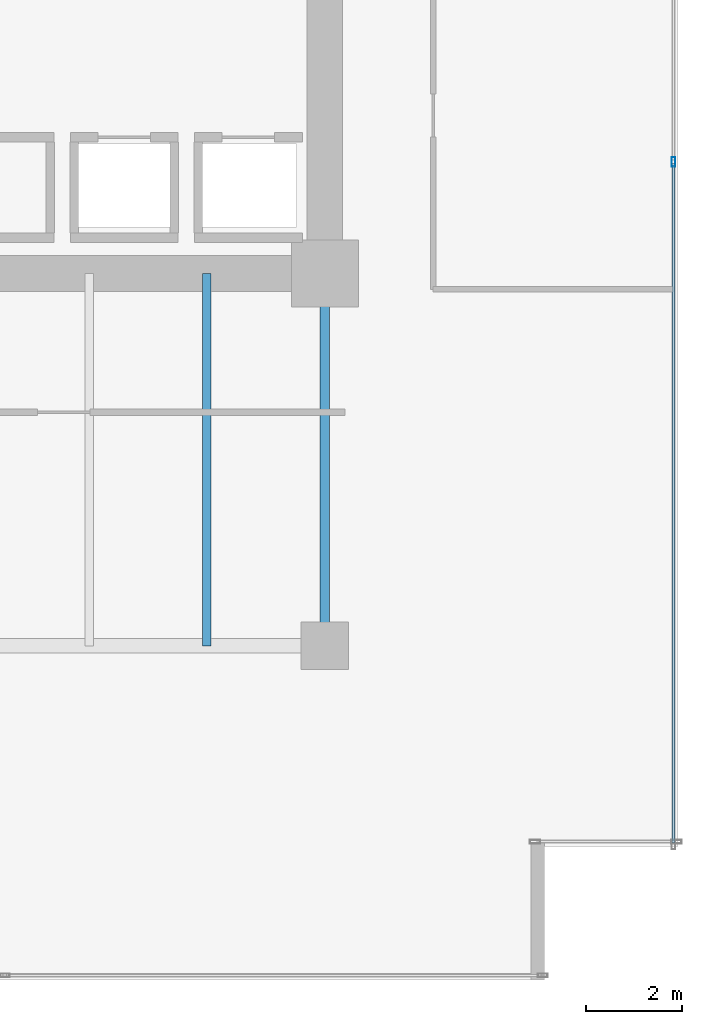
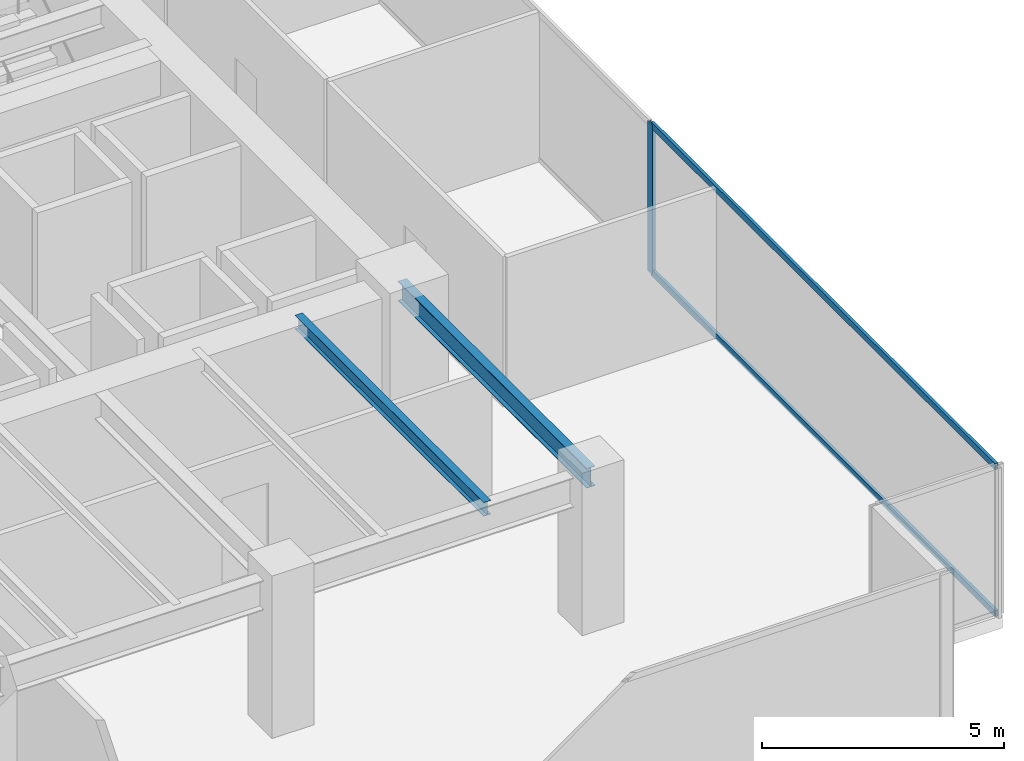
# One storey, part 24 of 35: 3 members, 2 beams, 1 element without a shape of its own.
"""IFC4 building model written with IfcOpenShell, lengths in metres."""

import ifcopenshell
import ifcopenshell.guid

model = None  # the IFC model being written
_history = None  # IfcOwnerHistory: only IFC2X3 demands one
_inside = {}  # id of a spatial element -> (the spatial element, [elements in it])
_under = {}  # id of a project, library or spatial element -> (it, [spatial elements below it])
_declared = {}  # id of a project -> (the project, [libraries it declares])
_typed = {}  # id of a type object -> (the type object, [elements of that type])
_made_of = {}  # id of a material, layer set ... -> (it, [elements and type objects made of it])


def new_model(schema):
    """Start an empty IFC model of exactly this schema.

    Asked for "IFC4X3", IfcOpenShell would pick the latest addendum, in which some entities
    have other attributes; the version numbers below select the first issue.
    IFC2X3 requires an IfcOwnerHistory on every rooted entity: one is made here for all.
    """
    global model, _history
    if schema == "IFC4X3":
        model = ifcopenshell.file(schema_version=(4, 3, 0, 0))
    else:
        model = ifcopenshell.file(schema=schema)
    _inside.clear()
    _under.clear()
    _declared.clear()
    _typed.clear()
    _made_of.clear()
    _history = None
    if model.schema == "IFC2X3":
        org = make("IfcOrganization", Name="unknown")
        user = make(
            "IfcPersonAndOrganization",
            ThePerson=make("IfcPerson", FamilyName="unknown"),
            TheOrganization=org,
        )
        app = make(
            "IfcApplication",
            ApplicationDeveloper=org,
            Version="unknown",
            ApplicationFullName="unknown",
            ApplicationIdentifier="unknown",
        )
        _history = make(
            "IfcOwnerHistory",
            OwningUser=user,
            OwningApplication=app,
            ChangeAction="ADDED",
            CreationDate=0,
        )
    return model


def make(cls, **values):
    """One entity of the class cls with the attributes given. An attribute that is None is left unset."""
    return model.create_entity(
        cls, **{name: value for name, value in values.items() if value is not None}
    )


def rooted(cls, **values):
    """An entity with a GlobalId (a new one), such as an element, a storey or a relation."""
    return make(cls, GlobalId=ifcopenshell.guid.new(), OwnerHistory=_history, **values)


def si_unit(unit_type, name, prefix=None):
    """IfcSIUnit, for example si_unit("LENGTHUNIT", "METRE", prefix="MILLI")."""
    return make("IfcSIUnit", UnitType=unit_type, Prefix=prefix, Name=name)


def assignment(units):
    """IfcUnitAssignment: the units of a project."""
    return None if units is None else make("IfcUnitAssignment", Units=units)


def point(xyz):
    """IfcCartesianPoint."""
    return None if xyz is None else make("IfcCartesianPoint", Coordinates=xyz)


def direction(xyz):
    """IfcDirection."""
    return None if xyz is None else make("IfcDirection", DirectionRatios=xyz)


def frame(location, z_axis=None, x_axis=None):
    """IfcAxis2Placement3D, a coordinate frame: its origin and axes. An axis left out is left unset."""
    return make(
        "IfcAxis2Placement3D",
        Location=point(location),
        Axis=direction(z_axis),
        RefDirection=direction(x_axis),
    )


def frame_2d(location, x_axis=None):
    """IfcAxis2Placement2D, a coordinate frame in the plane: its origin and x axis."""
    return make(
        "IfcAxis2Placement2D", Location=point(location), RefDirection=direction(x_axis)
    )


def origin():
    """The frame at (0, 0, 0) with its axes left unset."""
    return frame((0.0, 0.0, 0.0))


def origin_2d():
    """The frame at (0, 0) in the plane with its x axis left unset."""
    return frame_2d((0.0, 0.0))


def place(relative_to, where):
    """IfcLocalPlacement: puts the frame where relative to a parent placement (None: the world)."""
    return make(
        "IfcLocalPlacement", PlacementRelTo=relative_to, RelativePlacement=where
    )


def context(
    kind, dimensions, precision=None, world=None, true_north=None, identifier=None
):
    """IfcGeometricRepresentationContext, for example the 3D "Model" context."""
    return make(
        "IfcGeometricRepresentationContext",
        ContextIdentifier=identifier,
        ContextType=kind,
        CoordinateSpaceDimension=dimensions,
        Precision=precision,
        WorldCoordinateSystem=world,
        TrueNorth=true_north,
    )


def subcontext(parent, identifier, kind, view, scale=None):
    """IfcGeometricRepresentationSubContext, for example "Body" below "Model"."""
    return make(
        "IfcGeometricRepresentationSubContext",
        ContextIdentifier=identifier,
        ContextType=kind,
        ParentContext=parent,
        TargetScale=scale,
        TargetView=view,
    )


def project(units=None, contexts=None):
    """IfcProject with its units and contexts."""
    return rooted(
        "IfcProject",
        Name="project",
        RepresentationContexts=contexts,
        UnitsInContext=assignment(units),
    )


def spatial(cls, under=None, at=None, **own):
    """A site, building, storey or space (cls), placed at a placement, below another one or the project."""
    s = rooted(cls, ObjectPlacement=at, **own)
    if under is not None:
        _under.setdefault(under.id(), (under, []))[1].append(s)
    return s


def profile(cls, at=None, kind="AREA", **sizes):
    """A parametric profile (cls). Its sizes go by their IFC names, for example OverallWidth=200.0."""
    return make(cls, ProfileType=kind, Position=at, **sizes)


def hollow_rectangle(**sizes):
    """IfcRectangleHollowProfileDef."""
    return profile("IfcRectangleHollowProfileDef", **sizes)


def i_section(**sizes):
    """IfcIShapeProfileDef."""
    return profile("IfcIShapeProfileDef", **sizes)


def extrude(swept, where, along, depth):
    """IfcExtrudedAreaSolid: the profile swept, set in the frame where, extruded along a direction by depth."""
    return make(
        "IfcExtrudedAreaSolid",
        SweptArea=swept,
        Position=where,
        ExtrudedDirection=direction(along),
        Depth=depth,
    )


def shape(context_of_items, identifier, shape_type, items):
    """IfcShapeRepresentation: the items that make up one representation, for example the "Body"."""
    return make(
        "IfcShapeRepresentation",
        ContextOfItems=context_of_items,
        RepresentationIdentifier=identifier,
        RepresentationType=shape_type,
        Items=items,
    )


def source(mapping_origin, context_of_items, identifier, shape_type, items):
    """IfcRepresentationMap: a shape defined once, which mapped items show again and again."""
    return make(
        "IfcRepresentationMap",
        MappingOrigin=mapping_origin,
        MappedRepresentation=shape(context_of_items, identifier, shape_type, items),
    )


def transform(
    local_origin,
    x_axis=None,
    y_axis=None,
    z_axis=None,
    scale=None,
    scale2=None,
    scale3=None,
    uniform=True,
):
    """IfcCartesianTransformationOperator3D, or its non-uniform kind. x_axis, y_axis, z_axis: its Axis1, 2, 3."""
    if uniform:
        return make(
            "IfcCartesianTransformationOperator3D",
            Axis1=direction(x_axis),
            Axis2=direction(y_axis),
            LocalOrigin=point(local_origin),
            Scale=scale,
            Axis3=direction(z_axis),
        )
    return make(
        "IfcCartesianTransformationOperator3DnonUniform",
        Axis1=direction(x_axis),
        Axis2=direction(y_axis),
        LocalOrigin=point(local_origin),
        Scale=scale,
        Axis3=direction(z_axis),
        Scale2=scale2,
        Scale3=scale3,
    )


def mapped(mapping_source, mapping_target):
    """IfcMappedItem: shows the shape of a source again, moved by a transform."""
    return make(
        "IfcMappedItem", MappingSource=mapping_source, MappingTarget=mapping_target
    )


def material(Name=None, Category=None):
    """IfcMaterial."""
    return make("IfcMaterial", Name=Name, Category=Category)


def layer(
    of_material, thickness, ventilated=None, Name=None, Category=None, Priority=None
):
    """IfcMaterialLayer: one layer of a wall or slab, of a material (None: an air gap)."""
    return make(
        "IfcMaterialLayer",
        Material=of_material,
        LayerThickness=thickness,
        IsVentilated=ventilated,
        Name=Name,
        Category=Category,
        Priority=Priority,
    )


def layer_set(layers, Name=None):
    """IfcMaterialLayerSet."""
    return make("IfcMaterialLayerSet", MaterialLayers=layers, LayerSetName=Name)


def material_profile(
    of_material, cross_section, Name=None, Category=None, Priority=None
):
    """IfcMaterialProfile: a cross section and its material."""
    return make(
        "IfcMaterialProfile",
        Name=Name,
        Material=of_material,
        Profile=cross_section,
        Priority=Priority,
        Category=Category,
    )


def profile_set(profiles, Name=None, composite=None):
    """IfcMaterialProfileSet."""
    return make(
        "IfcMaterialProfileSet",
        Name=Name,
        MaterialProfiles=profiles,
        CompositeProfile=composite,
    )


def made_of(thing, what):
    """Note that an element or type object is made of a material, layer set ...; save() writes the relation."""
    if what is not None:
        _made_of.setdefault(what.id(), (what, []))[1].append(thing)
    return thing


def type_object(cls, material=None, **own):
    """A type object (cls), such as IfcWallType, which elements share."""
    return made_of(rooted(cls, **own), material)


def type_shapes(of_type, sources):
    """Give a type object the sources (RepresentationMaps) that its elements show as mapped items."""
    of_type.RepresentationMaps = sources


def element(
    cls,
    number,
    at=None,
    inside=None,
    cuts=None,
    type_object=None,
    material=None,
    context=None,
    identifier="Body",
    shape_type=None,
    held_by="IfcProductDefinitionShape",
    body=None,
    shapes=None,
    **own,
):
    """One element of the class cls, such as IfcWall. Its Tag is "e" and its number.

    at: its placement. inside: the storey or other place that contains it. cuts: it is an
    opening in that element (IfcRelVoidsElement). A single representation is given by context,
    identifier, shape_type and body (its items); several are given by shapes. held_by: the class
    of the entity that holds the representations. save() writes the other relations.
    """
    e = rooted(cls, Tag="e%d" % number, ObjectPlacement=at, **own)
    if body is not None:
        shapes = [shape(context, identifier, shape_type, body)]
    if shapes is not None:
        e.Representation = make(held_by, Representations=shapes)
    if inside is not None:
        _inside.setdefault(inside.id(), (inside, []))[1].append(e)
    if cuts is not None:
        rooted(
            "IfcRelVoidsElement", RelatingBuildingElement=cuts, RelatedOpeningElement=e
        )
    if type_object is not None:
        _typed.setdefault(type_object.id(), (type_object, []))[1].append(e)
    return made_of(e, material)


def aggregate(whole, parts):
    """IfcRelAggregates: a whole, such as a stair, and the parts it consists of."""
    return rooted("IfcRelAggregates", RelatingObject=whole, RelatedObjects=parts)


def save(model, path):
    """Write the relations noted so far, then the file.

    IfcRelAggregates (storeys below a building ...), IfcRelContainedInSpatialStructure (elements
    in a storey), IfcRelDefinesByType, IfcRelAssociatesMaterial and IfcRelDeclares: one each for
    every whole, place, type object, material and project.
    """
    for whole, parts in _under.values():
        aggregate(whole, parts)
    for where, things in _inside.values():
        rooted(
            "IfcRelContainedInSpatialStructure",
            RelatedElements=things,
            RelatingStructure=where,
        )
    for kind, things in _typed.values():
        rooted("IfcRelDefinesByType", RelatedObjects=things, RelatingType=kind)
    for what, things in _made_of.values():
        rooted("IfcRelAssociatesMaterial", RelatedObjects=things, RelatingMaterial=what)
    for by, libraries in _declared.values():
        rooted("IfcRelDeclares", RelatingContext=by, RelatedDefinitions=libraries)
    model.write(path)


model = new_model("IFC4")

# Units and contexts
model_context = context("Model", 3, precision=1e-05, world=origin(), true_north=direction((0.0, 1.0)))
body_context = subcontext(model_context, "Body", "Model", "MODEL_VIEW")
ifc_project = project(units=[si_unit("LENGTHUNIT", "METRE"), si_unit("AREAUNIT", "SQUARE_METRE"), si_unit("VOLUMEUNIT", "CUBIC_METRE"), si_unit("PLANEANGLEUNIT", "RADIAN"), si_unit("MASSUNIT", "GRAM", prefix="KILO")], contexts=[model_context])

# Site, building, storey
site_placement = place(None, origin())
site = spatial("IfcSite", under=ifc_project, at=site_placement, CompositionType="ELEMENT")
building_placement = place(site_placement, origin())
building = spatial("IfcBuilding", under=site, at=building_placement, Name="Haelvirn Gate Laboratories", CompositionType="ELEMENT")
storey_placement = place(building_placement, frame((0.0, 0.0, 70.300048828125)))
storey = spatial("IfcBuildingStorey", under=building, at=storey_placement, Name="L17", CompositionType="ELEMENT", Elevation=70.300048828125)

# Beams
ifc_material_1 = material(Name="Steel SM355", Category="steel")
ifc_material_profile_1 = material_profile(ifc_material_1, i_section(OverallWidth=0.199951171875, OverallDepth=0.5, WebThickness=0.010009765625, FlangeThickness=0.01611328125, at=origin_2d()), Name="H-500x200x10x16")
ifc_profile_set_1 = profile_set([ifc_material_profile_1], Name="Steel SM355")
beam_type_1 = type_object("IfcBeamType", Name="BM-SP-500", PredefinedType="SPANDREL", material=ifc_profile_set_1)
shared_shape_1 = source(origin(), body_context, "Body", "SweptSolid", [
    extrude(i_section(OverallWidth=0.199951171875, OverallDepth=0.5, WebThickness=0.010009765625, FlangeThickness=0.01611328125, at=origin_2d()), origin(), (0.0, 0.0, 1.0), 7.800048828125),
])
type_shapes(beam_type_1, [shared_shape_1])
beam_1_placement = place(storey_placement, frame((67.39990234375, 7.0, 3.530029296875), z_axis=(0.0, 1.0, 0.0), x_axis=(-1.0, 0.0, 0.0)))
element("IfcBeam", 1, at=beam_1_placement, inside=storey, type_object=beam_type_1, Name="L17 Perimeter Spandrel X67.4 (7.0-14.8)", PredefinedType="SPANDREL", context=body_context, shape_type="MappedRepresentation", body=[
    mapped(shared_shape_1, transform((0.0, 0.0, 0.0), scale=1.0)),
])
ifc_material_profile_2 = material_profile(ifc_material_1, i_section(OverallWidth=0.175048828125, OverallDepth=0.35009765625, WebThickness=0.007080078125, FlangeThickness=0.010986328125, at=origin_2d()), Name="H-350x175x7x11")
ifc_profile_set_2 = profile_set([ifc_material_profile_2], Name="Steel SM355")
beam_type_2 = type_object("IfcBeamType", Name="BM-J-350", PredefinedType="JOIST", material=ifc_profile_set_2)
shared_shape_2 = source(origin(), body_context, "Body", "SweptSolid", [
    extrude(i_section(OverallWidth=0.175048828125, OverallDepth=0.35009765625, WebThickness=0.007080078125, FlangeThickness=0.010986328125, at=origin_2d()), origin(), (0.0, 0.0, 1.0), 7.800048828125),
])
type_shapes(beam_type_2, [shared_shape_2])
beam_2_placement = place(storey_placement, frame((64.929931640625, 7.0, 3.60498046875), z_axis=(0.0, 1.0, 0.0), x_axis=(-1.0, 0.0, 0.0)))
element("IfcBeam", 2, at=beam_2_placement, inside=storey, type_object=beam_type_2, Name="L17 Composite Lab Joist South X64.93", PredefinedType="JOIST", context=body_context, shape_type="MappedRepresentation", body=[
    mapped(shared_shape_2, transform((0.0, 0.0, 0.0), scale=1.0)),
])

# Curtain wall, members
ifc_material_2 = material(Name="Anodised bronze unitised aluminium & triple low-E glass", Category="aluminium")
ifc_layer = layer(ifc_material_2, 0.18408203125, Name="CW-SYS-2")
ifc_layer_set = layer_set([ifc_layer], Name="Anodised bronze unitised aluminium & triple low-E glass")
curtain_wall_type = type_object("IfcCurtainWallType", Name="CW-SYS-2", PredefinedType="NOTDEFINED", material=ifc_layer_set)
curtain_wall_placement = place(storey_placement, origin())
curtain_wall = element("IfcCurtainWall", 3, at=curtain_wall_placement, inside=storey, type_object=curtain_wall_type, Name="L17 Unitised Curtain Wall CW-L17-P0-E07", PredefinedType="NOTDEFINED")
ifc_material_3 = material(Name="Extruded aluminium 6063-T6 (anodised bronze)", Category="aluminium")
ifc_material_profile_3 = material_profile(ifc_material_3, hollow_rectangle(XDim=0.074951171875, YDim=0.199951171875, WallThickness=0.0048828125, at=origin_2d()), Name="CWM-200x75x5")
ifc_profile_set_3 = profile_set([ifc_material_profile_3], Name="Extruded aluminium 6063-T6 (anodised bronze)")
member_type_1 = type_object("IfcMemberType", Name="CWM-T200", PredefinedType="MULLION", material=ifc_profile_set_3)
shared_shape_3 = source(origin(), body_context, "Body", "SweptSolid", [
    extrude(hollow_rectangle(XDim=0.074951171875, YDim=0.199951171875, WallThickness=0.0048828125, at=origin_2d()), origin(), (0.0, 0.0, 1.0), 3.780029296875),
])
type_shapes(member_type_1, [shared_shape_3])
member_1_placement = place(storey_placement, frame((74.699951171875, 17.13330078125, 0.0), z_axis=(0.0, 0.0, 1.0), x_axis=(-1.0, 0.0, 0.0)))
member_1 = element("IfcMember", 4, at=member_1_placement, type_object=member_type_1, Name="CW2 mullion 2", PredefinedType="MULLION", context=body_context, shape_type="MappedRepresentation", body=[
    mapped(shared_shape_3, transform((0.0, 0.0, 0.0), scale=1.0)),
])
ifc_material_profile_4 = material_profile(ifc_material_3, hollow_rectangle(XDim=0.070068359375, YDim=0.159912109375, WallThickness=0.0048828125, at=origin_2d()), Name="CWT-160x70x5")
ifc_profile_set_4 = profile_set([ifc_material_profile_4], Name="Extruded aluminium 6063-T6 (anodised bronze)")
member_type_2 = type_object("IfcMemberType", Name="CWT-T160", PredefinedType="USERDEFINED", material=ifc_profile_set_4)
shared_shape_4 = source(origin(), body_context, "Body", "SweptSolid", [
    extrude(hollow_rectangle(XDim=0.070068359375, YDim=0.159912109375, WallThickness=0.0048828125, at=origin_2d()), origin(), (0.0, 0.0, 1.0), 14.220947265625),
])
type_shapes(member_type_2, [shared_shape_4])
member_2_placement = place(storey_placement, frame((74.699951171875, 2.875, 0.034912109375), z_axis=(0.0, 1.0, 0.0), x_axis=(-1.0, 0.0, 0.0)))
member_2 = element("IfcMember", 5, at=member_2_placement, type_object=member_type_2, Name="CW2 transom 1.1", ObjectType="TRANSOM", PredefinedType="USERDEFINED", context=body_context, shape_type="MappedRepresentation", body=[
    mapped(shared_shape_4, transform((0.0, 0.0, 0.0), scale=1.0)),
])
member_3_placement = place(storey_placement, frame((74.699951171875, 2.875, 3.744873046875), z_axis=(0.0, 1.0, 0.0), x_axis=(-1.0, 0.0, 0.0)))
member_3 = element("IfcMember", 6, at=member_3_placement, type_object=member_type_2, Name="CW2 transom 1.2", ObjectType="TRANSOM", PredefinedType="USERDEFINED", context=body_context, shape_type="MappedRepresentation", body=[
    mapped(shared_shape_4, transform((0.0, 0.0, 0.0), scale=1.0)),
])
aggregate(curtain_wall, [member_1, member_2, member_3])

save(model, "model.ifc")
